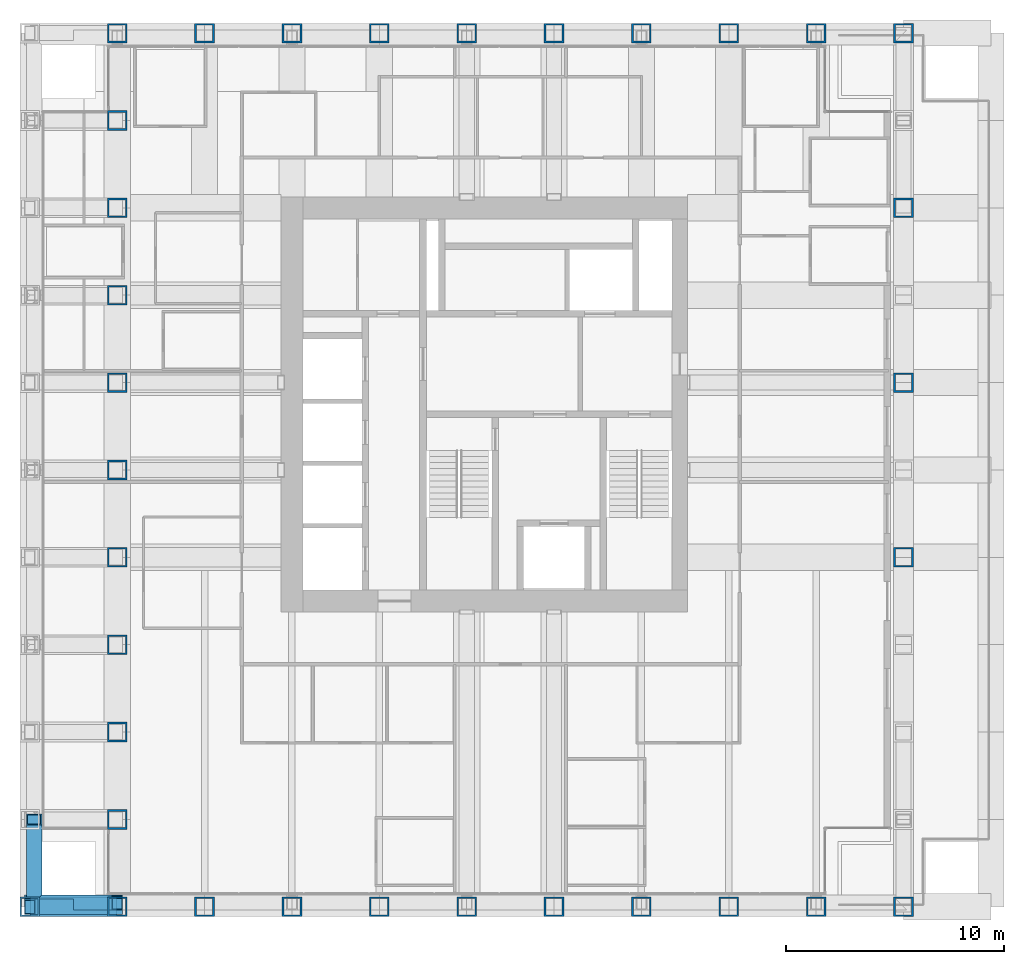
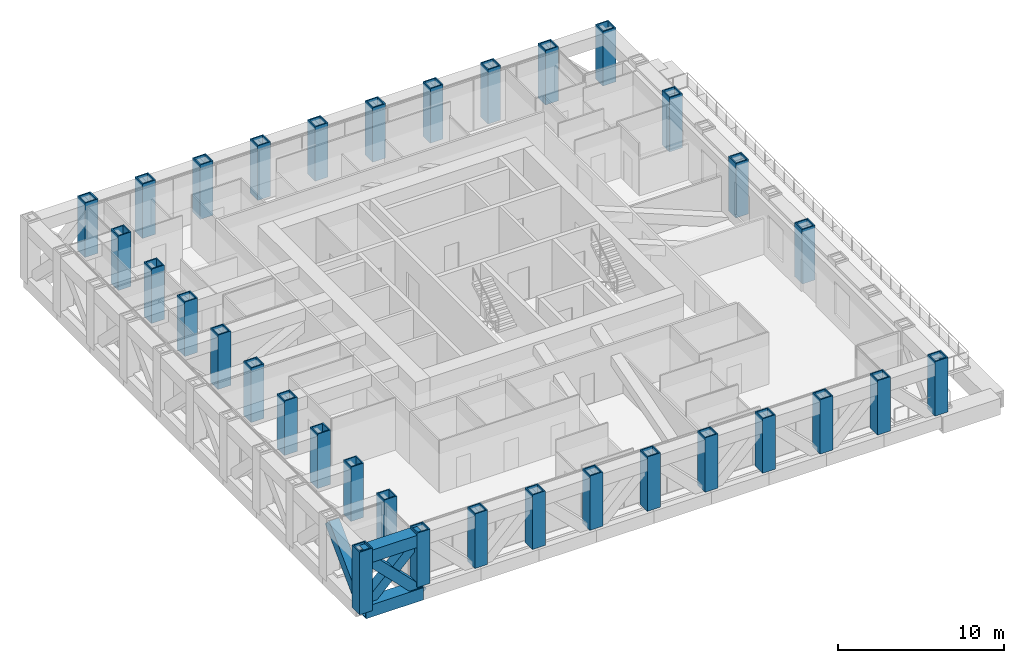
# One storey, part 1 of 14: 32 columns, 4 members, 2 beams.
"""IFC4 building model written with IfcOpenShell, lengths in metres."""

from ifc_helpers import new_model, si_unit, direction, frame, origin, origin_2d, place, context, subcontext, project, spatial, hollow_rectangle, extrude, material, material_profile, profile_set, type_object, element, save


model = new_model("IFC4")

# Units and contexts
model_context = context("Model", 3, precision=1e-05, world=origin(), true_north=direction((0.0, 1.0)))
body_context = subcontext(model_context, "Body", "Model", "MODEL_VIEW")
ifc_project = project(units=[si_unit("LENGTHUNIT", "METRE"), si_unit("AREAUNIT", "SQUARE_METRE"), si_unit("VOLUMEUNIT", "CUBIC_METRE"), si_unit("PLANEANGLEUNIT", "RADIAN"), si_unit("MASSUNIT", "GRAM", prefix="KILO")], contexts=[model_context])

# Site, building, storey
site_placement = place(None, origin())
site = spatial("IfcSite", under=ifc_project, at=site_placement, CompositionType="ELEMENT")
building_placement = place(site_placement, origin())
building = spatial("IfcBuilding", under=site, at=building_placement, Name="Rimbunsela Tower", CompositionType="ELEMENT")
storey_placement = place(building_placement, frame((0.0, 0.0, 270.199951171875)))
storey = spatial("IfcBuildingStorey", under=building, at=storey_placement, Name="L65", CompositionType="ELEMENT", Elevation=270.199951171875)

# Columns
ifc_material_1 = material(Name="Steel BJ 55 (fy 410 MPa)", Category="steel")
ifc_material_profile_1 = material_profile(ifc_material_1, hollow_rectangle(XDim=0.89990234375, YDim=0.89990234375, WallThickness=0.080078125, at=origin_2d()), Name="BOX 900x900x80")
ifc_profile_set_1 = profile_set([ifc_material_profile_1], Name="Steel BJ 55 (fy 410 MPa)")
column_type = type_object("IfcColumnType", Name="Truss column BOX 900x900x80", PredefinedType="USERDEFINED", material=ifc_profile_set_1)
for number, where, z_axis, x_axis, name in (
    (1, (10.0, 4.0, 0.0), (0.0, 0.0, 1.0), (1.0, 0.0, 0.0), "Truss column TV3 5/C L65"),
    (2, (10.0, 44.0, 0.0), (0.0, 0.0, 1.0), (1.0, 0.0, 0.0), "Truss column TV3 5/N L65"),
    (3, (14.0, 4.0, 0.0), (0.0, 0.0, 1.0), (1.0, 0.0, 0.0), "Truss column TV3 6/C L65"),
    (4, (14.0, 44.0, 0.0), (0.0, 0.0, 1.0), (1.0, 0.0, 0.0), "Truss column TV3 6/N L65"),
    (5, (18.0, 4.0, 0.0), (0.0, 0.0, 1.0), (1.0, 0.0, 0.0), "Truss column TV3 7/C L65"),
    (6, (18.0, 44.0, 0.0), (0.0, 0.0, 1.0), (1.0, 0.0, 0.0), "Truss column TV3 7/N L65"),
    (7, (22.0, 4.0, 0.0), (0.0, 0.0, 1.0), (1.0, 0.0, 0.0), "Truss column TV3 8/C L65"),
    (8, (22.0, 44.0, 0.0), (0.0, 0.0, 1.0), (1.0, 0.0, 0.0), "Truss column TV3 8/N L65"),
    (9, (26.0, 4.0, 0.0), (0.0, 0.0, 1.0), (1.0, 0.0, 0.0), "Truss column TV3 9/C L65"),
    (10, (26.0, 44.0, 0.0), (0.0, 0.0, 1.0), (1.0, 0.0, 0.0), "Truss column TV3 9/N L65"),
    (11, (30.0, 4.0, 0.0), (0.0, 0.0, 1.0), (1.0, 0.0, 0.0), "Truss column TV3 10/C L65"),
    (12, (30.0, 44.0, 0.0), (0.0, 0.0, 1.0), (1.0, 0.0, 0.0), "Truss column TV3 10/N L65"),
    (13, (34.0, 4.0, 0.0), (0.0, 0.0, 1.0), (1.0, 0.0, 0.0), "Truss column TV3 11/C L65"),
    (14, (34.0, 44.0, 0.0), (0.0, 0.0, 1.0), (1.0, 0.0, 0.0), "Truss column TV3 11/N L65"),
    (15, (38.0, 4.0, 0.0), (0.0, 0.0, 1.0), (1.0, 0.0, 0.0), "Truss column TV3 12/C L65"),
    (16, (38.0, 44.0, 0.0), (0.0, 0.0, 1.0), (1.0, 0.0, 0.0), "Truss column TV3 12/N L65"),
    (17, (42.0, 4.0, 0.0), (0.0, 0.0, 1.0), (1.0, 0.0, 0.0), "Truss column TV3 13/C L65"),
    (18, (42.0, 44.0, 0.0), (0.0, 0.0, 1.0), (1.0, 0.0, 0.0), "Truss column TV3 13/N L65"),
    (19, (46.0, 4.0, 0.0), (0.0, 0.0, 1.0), (1.0, 0.0, 0.0), "Truss column TV3 14/C L65"),
    (20, (46.0, 20.0, 0.0), (0.0, 0.0, 1.0), (1.0, 0.0, 0.0), "Truss column TV3 14/G L65"),
    (21, (46.0, 28.0, 0.0), (0.0, 0.0, 1.0), (1.0, 0.0, 0.0), "Truss column TV3 14/J L65"),
    (22, (46.0, 36.0, 0.0), (0.0, 0.0, 1.0), (1.0, 0.0, 0.0), "Truss column TV3 14/L L65"),
    (23, (46.0, 44.0, 0.0), (0.0, 0.0, 1.0), (1.0, 0.0, 0.0), "Truss column TV3 14/N L65"),
    (24, (10.0, 8.0, 0.0), (0.0, 0.0, 1.0), (1.0, 0.0, 0.0), "Truss column TV3 5/D L65"),
    (25, (10.0, 12.0, 0.0), (0.0, 0.0, 1.0), (1.0, 0.0, 0.0), "Truss column TV3 5/E L65"),
    (26, (10.0, 16.0, 0.0), (0.0, 0.0, 1.0), (1.0, 0.0, 0.0), "Truss column TV3 5/F L65"),
    (27, (10.0, 20.0, 0.0), (0.0, 0.0, 1.0), (1.0, 0.0, 0.0), "Truss column TV3 5/G L65"),
    (28, (10.0, 24.0, 0.0), (0.0, 0.0, 1.0), (1.0, 0.0, 0.0), "Truss column TV3 5/H L65"),
    (29, (10.0, 28.0, 0.0), (0.0, 0.0, 1.0), (1.0, 0.0, 0.0), "Truss column TV3 5/J L65"),
    (30, (10.0, 32.0, 0.0), (0.0, 0.0, 1.0), (1.0, 0.0, 0.0), "Truss column TV3 5/K L65"),
    (31, (10.0, 36.0, 0.0), (0.0, 0.0, 1.0), (1.0, 0.0, 0.0), "Truss column TV3 5/L L65"),
    (32, (10.0, 40.0, 0.0), (0.0, 0.0, 1.0), (1.0, 0.0, 0.0), "Truss column TV3 5/M L65"),
):
    element("IfcColumn", number, at=place(storey_placement, frame(where, z_axis=z_axis, x_axis=x_axis)), inside=storey, type_object=column_type, Name=name, ObjectType="TRUSS POST", PredefinedType="USERDEFINED", context=body_context, shape_type="SweptSolid", body=[
        extrude(hollow_rectangle(XDim=0.89990234375, YDim=0.89990234375, WallThickness=0.080078125, at=origin_2d()), origin(), (0.0, 0.0, 1.0), 4.0),
    ])

# Beams
ifc_material_2 = material(Name="Steel BJ 55 (fy 410 MPa)", Category="steel")
ifc_material_profile_2 = material_profile(ifc_material_2, hollow_rectangle(XDim=0.89990234375, YDim=0.89990234375, WallThickness=0.06005859375, at=origin_2d()), Name="BOX 900x900x60")
ifc_profile_set_2 = profile_set([ifc_material_profile_2], Name="Steel BJ 55 (fy 410 MPa)")
beam_type = type_object("IfcBeamType", Name="Truss chord BOX 900x900x60", PredefinedType="USERDEFINED", material=ifc_profile_set_2)
for number, where, z_axis, x_axis, name in (
    (33, (6.0, 4.0, 3.400146484375), (1.0, 0.0, 0.0), (0.0, 1.0, 0.0), "Truss top chord TC4 S face L65"),
    (34, (6.0, 4.0, -0.599853515625), (1.0, 0.0, 0.0), (0.0, 1.0, 0.0), "Truss bottom chord TC4 S face L65"),
):
    element("IfcBeam", number, at=place(storey_placement, frame(where, z_axis=z_axis, x_axis=x_axis)), inside=storey, type_object=beam_type, Name=name, ObjectType="TRUSS CHORD", PredefinedType="USERDEFINED", context=body_context, shape_type="SweptSolid", body=[
        extrude(hollow_rectangle(XDim=0.89990234375, YDim=0.89990234375, WallThickness=0.06005859375, at=origin_2d()), origin(), (0.0, 0.0, 1.0), 4.0),
    ])

# Members
ifc_material_3 = material(Name="Steel BJ 55 (fy 410 MPa)", Category="steel")
ifc_material_profile_3 = material_profile(ifc_material_3, hollow_rectangle(XDim=0.699951171875, YDim=0.699951171875, WallThickness=0.050048828125, at=origin_2d()), Name="BOX 700x700x50")
ifc_profile_set_3 = profile_set([ifc_material_profile_3], Name="Steel BJ 55 (fy 410 MPa)")
member_type_1 = type_object("IfcMemberType", Name="Truss diagonal BOX 700x700x50", PredefinedType="BRACE", material=ifc_profile_set_3)
for number, where, z_axis, x_axis, name in (
    (35, (6.0, 4.199951171875, -0.599853515625), (0.707106781187, 0.0, 0.707106781187), (0.0, 1.0, 0.0), "Truss diagonal TD4 S face L65"),
    (36, (6.199951171875, 4.0, -0.599853515625), (0.0, 0.707106781187, 0.707106781187), (-1.0, 0.0, 0.0), "Truss diagonal TD4 W face L65"),
    (37, (10.0, 4.0, -0.599853515625), (-0.707106781187, 0.0, 0.707106781187), (0.0, -1.0, 0.0), "Cantilever truss diagonal TD4 4/C L65"),
):
    element("IfcMember", number, at=place(storey_placement, frame(where, z_axis=z_axis, x_axis=x_axis)), inside=storey, type_object=member_type_1, Name=name, PredefinedType="BRACE", context=body_context, shape_type="SweptSolid", body=[
        extrude(hollow_rectangle(XDim=0.699951171875, YDim=0.699951171875, WallThickness=0.050048828125, at=origin_2d()), origin(), (0.0, 0.0, 1.0), 5.65673828125),
    ])
ifc_material_4 = material(Name="Steel BJ 55 (fy 410 MPa)", Category="steel")
ifc_material_profile_4 = material_profile(ifc_material_4, hollow_rectangle(XDim=0.89990234375, YDim=0.89990234375, WallThickness=0.080078125, at=origin_2d()), Name="BOX 900x900x80")
ifc_profile_set_4 = profile_set([ifc_material_profile_4], Name="Steel BJ 55 (fy 410 MPa)")
member_type_2 = type_object("IfcMemberType", Name="Truss post BOX 900x900x80", PredefinedType="POST", material=ifc_profile_set_4)
member_placement = place(storey_placement, frame((6.0, 4.0, -0.599853515625), z_axis=(0.0, 0.0, 1.0), x_axis=(1.0, 0.0, 0.0)))
element("IfcMember", 38, at=member_placement, inside=storey, type_object=member_type_2, Name="Truss post TP3 4/C L65", PredefinedType="POST", context=body_context, shape_type="SweptSolid", body=[
    extrude(hollow_rectangle(XDim=0.89990234375, YDim=0.89990234375, WallThickness=0.080078125, at=origin_2d()), origin(), (0.0, 0.0, 1.0), 4.599853515625),
])

save(model, "model.ifc")
